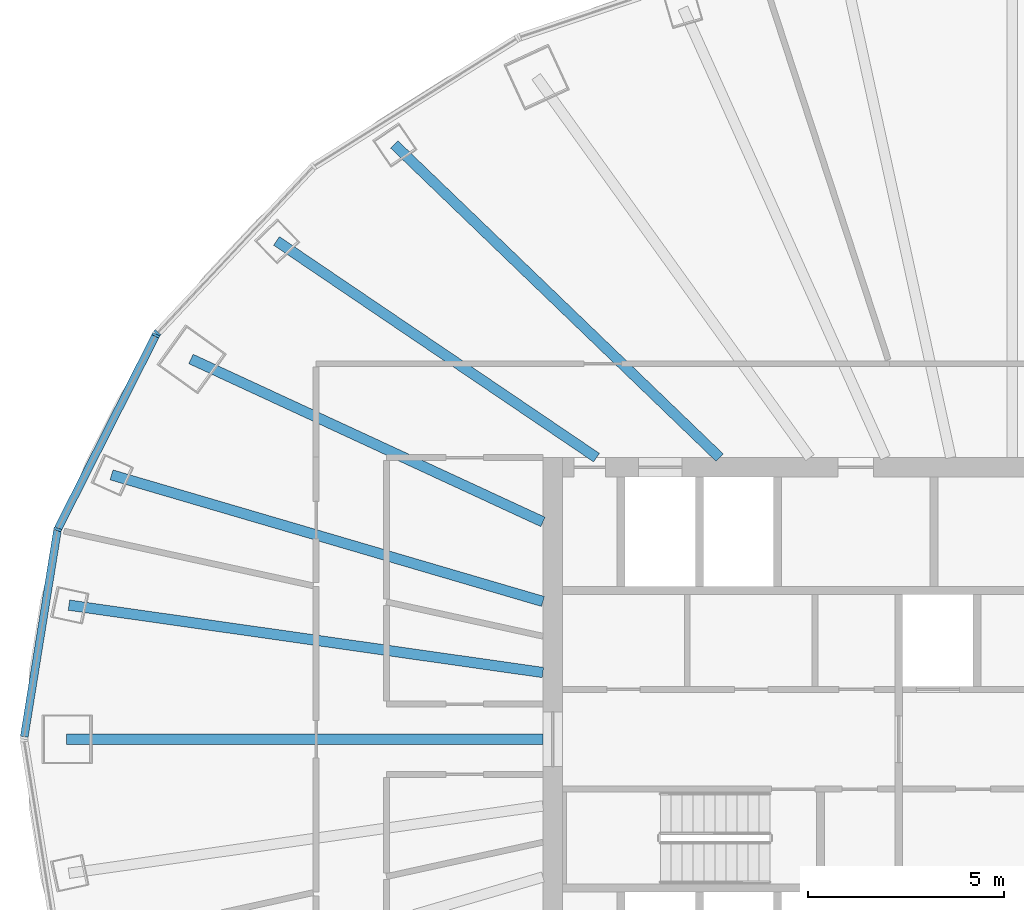
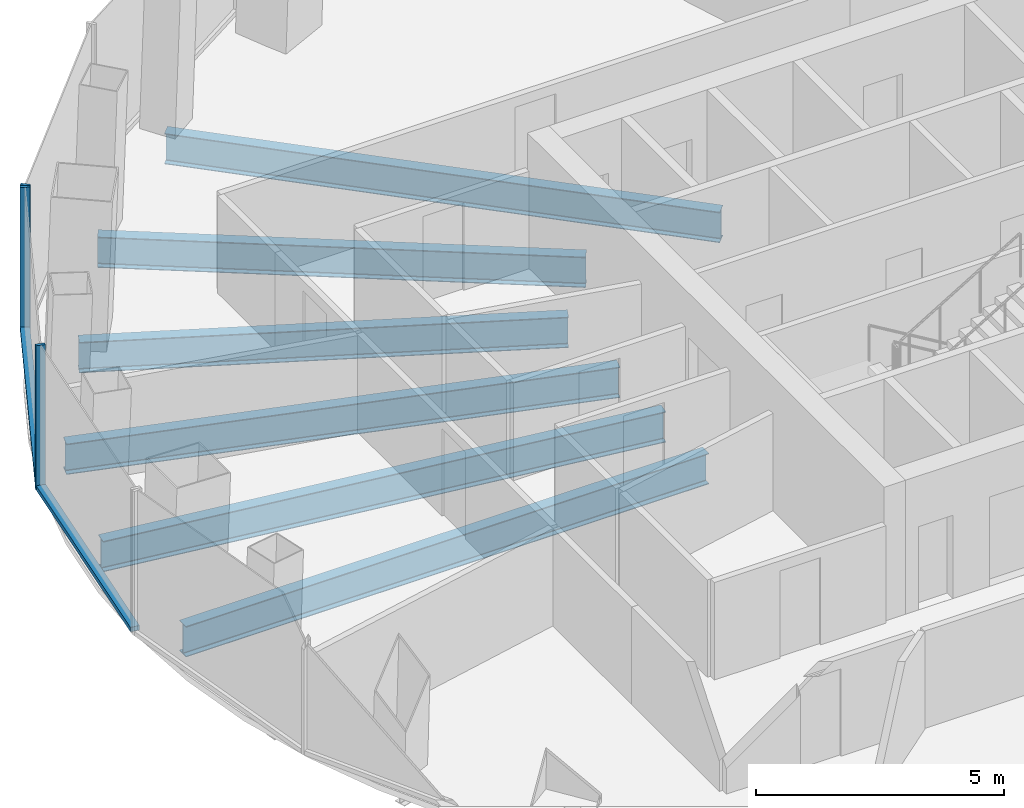
# One storey, part 3 of 11: 6 beams, 5 members, 2 elements without a shape of their own.
"""IFC4 building model written with IfcOpenShell, lengths in metres."""

from ifc_helpers import new_model, si_unit, direction, frame, origin, origin_2d, place, context, subcontext, project, spatial, rectangle, i_section, extrude, material, layer, layer_set, material_profile, profile_set, type_object, element, aggregate, save


model = new_model("IFC4")

# Units and contexts
model_context = context("Model", 3, precision=1e-05, world=origin(), true_north=direction((0.0, 1.0)))
body_context = subcontext(model_context, "Body", "Model", "MODEL_VIEW")
ifc_project = project(units=[si_unit("LENGTHUNIT", "METRE"), si_unit("AREAUNIT", "SQUARE_METRE"), si_unit("VOLUMEUNIT", "CUBIC_METRE"), si_unit("PLANEANGLEUNIT", "RADIAN"), si_unit("MASSUNIT", "GRAM", prefix="KILO")], contexts=[model_context])

# Site, building, storey
site_placement = place(None, origin())
site = spatial("IfcSite", under=ifc_project, at=site_placement, CompositionType="ELEMENT")
building_placement = place(site_placement, origin())
building = spatial("IfcBuilding", under=site, at=building_placement, Name="Siaravel Broadcast Tower", CompositionType="ELEMENT")
storey_placement = place(building_placement, frame((0.0, 0.0, 123.0)))
storey = spatial("IfcBuildingStorey", under=building, at=storey_placement, Name="L29", CompositionType="ELEMENT", Elevation=123.0)

# Beams
ifc_material_1 = material(Name="Steel S355", Category="steel")
ifc_material_profile_1 = material_profile(ifc_material_1, i_section(OverallWidth=0.26513671875, OverallDepth=0.75390625, WebThickness=0.0126953125, FlangeThickness=0.017578125, FilletRadius=0.0166015625, at=origin_2d()))
ifc_profile_set_1 = profile_set([ifc_material_profile_1], Name="Steel S355")
beam_type = type_object("IfcBeamType", Name="BM-UB 762x267x147", PredefinedType="BEAM", material=ifc_profile_set_1)
beam_1_placement = place(storey_placement, frame((-15.7998046875, 15.20654296875, -0.52685546875), z_axis=(0.720499795, -0.69345515, 0.0), x_axis=(0.69345515, 0.720499795, 0.0)))
element("IfcBeam", 1, at=beam_1_placement, inside=storey, type_object=beam_type, Name="Radial beam RB14", PredefinedType="BEAM", context=body_context, shape_type="SweptSolid", body=[
    extrude(i_section(OverallWidth=0.26513671875, OverallDepth=0.75390625, WebThickness=0.0126953125, FlangeThickness=0.017578125, FilletRadius=0.0166015625, at=origin_2d()), origin(), (0.0, 0.0, 1.0), 11.5458984375),
])
beam_2_placement = place(storey_placement, frame((-18.810791015625, 12.740478515625, -0.52685546875), z_axis=(0.827967914, -0.560775475, 0.0), x_axis=(0.560775475, 0.827967914, 0.0)))
element("IfcBeam", 2, at=beam_2_placement, inside=storey, type_object=beam_type, Name="Radial beam RB15", PredefinedType="BEAM", context=body_context, shape_type="SweptSolid", body=[
    extrude(i_section(OverallWidth=0.26513671875, OverallDepth=0.75390625, WebThickness=0.0126953125, FlangeThickness=0.017578125, FilletRadius=0.0166015625, at=origin_2d()), origin(), (0.0, 0.0, 1.0), 9.880126953125),
])
beam_3_placement = place(storey_placement, frame((-20.99853515625, 9.721923828125, -0.52685546875), z_axis=(0.907465864, -0.420125821, 0.0), x_axis=(0.420125821, 0.907465864, 0.0)))
element("IfcBeam", 3, at=beam_3_placement, inside=storey, type_object=beam_type, Name="Radial beam RB16", PredefinedType="BEAM", context=body_context, shape_type="SweptSolid", body=[
    extrude(i_section(OverallWidth=0.26513671875, OverallDepth=0.75390625, WebThickness=0.0126953125, FlangeThickness=0.017578125, FilletRadius=0.0166015625, at=origin_2d()), origin(), (0.0, 0.0, 1.0), 9.916015625),
])
beam_4_placement = place(storey_placement, frame((-23.029296875, 6.7587890625, -0.52685546875), z_axis=(0.959532411, -0.281598209, 0.0), x_axis=(0.281598209, 0.959532411, 0.0)))
element("IfcBeam", 4, at=beam_4_placement, inside=storey, type_object=beam_type, Name="Radial beam RB17", PredefinedType="BEAM", context=body_context, shape_type="SweptSolid", body=[
    extrude(i_section(OverallWidth=0.26513671875, OverallDepth=0.75390625, WebThickness=0.0126953125, FlangeThickness=0.017578125, FilletRadius=0.0166015625, at=origin_2d()), origin(), (0.0, 0.0, 1.0), 11.494384765625),
])
beam_5_placement = place(storey_placement, frame((-24.118896484375, 3.427978515625, -0.52685546875), z_axis=(0.99005056, -0.140712075, 0.0), x_axis=(0.140712075, 0.99005056, 0.0)))
element("IfcBeam", 5, at=beam_5_placement, inside=storey, type_object=beam_type, Name="Radial beam RB18", PredefinedType="BEAM", context=body_context, shape_type="SweptSolid", body=[
    extrude(i_section(OverallWidth=0.26513671875, OverallDepth=0.75390625, WebThickness=0.0126953125, FlangeThickness=0.017578125, FilletRadius=0.0166015625, at=origin_2d()), origin(), (0.0, 0.0, 1.0), 12.24072265625),
])
beam_6_placement = place(storey_placement, frame((-24.185302734375, 0.0, -0.52685546875), z_axis=(1.0, 0.0, 0.0), x_axis=(0.0, 1.0, 0.0)))
element("IfcBeam", 6, at=beam_6_placement, inside=storey, type_object=beam_type, Name="Radial beam RB19", PredefinedType="BEAM", context=body_context, shape_type="SweptSolid", body=[
    extrude(i_section(OverallWidth=0.26513671875, OverallDepth=0.75390625, WebThickness=0.0126953125, FlangeThickness=0.017578125, FilletRadius=0.0166015625, at=origin_2d()), origin(), (0.0, 0.0, 1.0), 12.185302734375),
])

# Curtain wall, member
ifc_material_2 = material(Name="Aluminium 6063-T6", Category="aluminium")
ifc_layer = layer(ifc_material_2, 0.199951171875)
ifc_layer_set = layer_set([ifc_layer], Name="Aluminium 6063-T6")
curtain_wall_type = type_object("IfcCurtainWallType", Name="Unitised curtain wall, zone 2", PredefinedType="NOTDEFINED", material=ifc_layer_set)
curtain_wall_1_placement = place(storey_placement, origin())
curtain_wall_1 = element("IfcCurtainWall", 7, at=curtain_wall_1_placement, inside=storey, type_object=curtain_wall_type, Name="L29 Unitised curtain wall, zone 2 05", PredefinedType="NOTDEFINED")
ifc_material_profile_2 = material_profile(ifc_material_2, rectangle(XDim=0.199951171875, YDim=0.06494140625, at=origin_2d()))
ifc_profile_set_2 = profile_set([ifc_material_profile_2], Name="Aluminium 6063-T6")
member_type_1 = type_object("IfcMemberType", Name="CW-Z2 mullion", PredefinedType="MULLION", material=ifc_profile_set_2)
member_1_placement = place(storey_placement, frame((-21.86083984375, 10.382080078125, 0.0), z_axis=(0.0, 0.0, 1.0), x_axis=(0.729805105, -0.683655256, 0.0)))
member_1 = element("IfcMember", 8, at=member_1_placement, type_object=member_type_1, Name="CW-Z2 mullion 3", PredefinedType="MULLION", context=body_context, shape_type="SweptSolid", body=[
    extrude(rectangle(XDim=0.199951171875, YDim=0.06494140625, at=origin_2d()), origin(), (0.0, 0.0, 1.0), 3.550048828125),
])
aggregate(curtain_wall_1, [member_1])

# Curtain wall, members
curtain_wall_2_placement = place(storey_placement, origin())
curtain_wall_2 = element("IfcCurtainWall", 9, at=curtain_wall_2_placement, inside=storey, type_object=curtain_wall_type, Name="L29 Unitised curtain wall, zone 2 06", PredefinedType="NOTDEFINED")
member_2_placement = place(storey_placement, frame((-21.897705078125, 10.329345703125, 0.0), z_axis=(0.0, 0.0, 1.0), x_axis=(0.892391979, -0.451261073, 0.0)))
member_2 = element("IfcMember", 10, at=member_2_placement, type_object=member_type_1, Name="CW-Z2 mullion 1", PredefinedType="MULLION", context=body_context, shape_type="SweptSolid", body=[
    extrude(rectangle(XDim=0.199951171875, YDim=0.06494140625, at=origin_2d()), origin(), (0.0, 0.0, 1.0), 3.550048828125),
])
member_3_placement = place(storey_placement, frame((-24.4091796875, 5.362548828125, 0.0), z_axis=(0.0, 0.0, 1.0), x_axis=(0.951177162, -0.308645439, 0.0)))
member_3 = element("IfcMember", 11, at=member_3_placement, type_object=member_type_1, Name="CW-Z2 mullion 2", PredefinedType="MULLION", context=body_context, shape_type="SweptSolid", body=[
    extrude(rectangle(XDim=0.199951171875, YDim=0.06494140625, at=origin_2d()), origin(), (0.0, 0.0, 1.0), 3.550048828125),
])
ifc_material_profile_3 = material_profile(ifc_material_2, rectangle(XDim=0.199951171875, YDim=0.110107421875, at=origin_2d()))
ifc_profile_set_3 = profile_set([ifc_material_profile_3], Name="Aluminium 6063-T6")
member_type_2 = type_object("IfcMemberType", Name="CW-Z2 transom", PredefinedType="USERDEFINED", material=ifc_profile_set_3)
member_4_placement = place(storey_placement, frame((-21.912353515625, 10.30029296875, 0.054931640625), z_axis=(-0.451256879, -0.8923941, 0.0), x_axis=(0.8923941, -0.451256879, 0.0)))
member_4 = element("IfcMember", 12, at=member_4_placement, type_object=member_type_2, Name="CW-Z2 transom 1", ObjectType="TRANSOM", PredefinedType="USERDEFINED", context=body_context, shape_type="SweptSolid", body=[
    extrude(rectangle(XDim=0.199951171875, YDim=0.110107421875, at=origin_2d()), origin(), (0.0, 0.0, 1.0), 5.50048828125),
])
member_5_placement = place(storey_placement, frame((-24.414306640625, 5.330322265625, 0.054931640625), z_axis=(-0.158695625, -0.987327554, 0.0), x_axis=(0.987327554, -0.158695625, 0.0)))
member_5 = element("IfcMember", 13, at=member_5_placement, type_object=member_type_2, Name="CW-Z2 transom 2", ObjectType="TRANSOM", PredefinedType="USERDEFINED", context=body_context, shape_type="SweptSolid", body=[
    extrude(rectangle(XDim=0.199951171875, YDim=0.110107421875, at=origin_2d()), origin(), (0.0, 0.0, 1.0), 5.333740234375),
])
aggregate(curtain_wall_2, [member_2, member_3, member_4, member_5])

save(model, "model.ifc")
